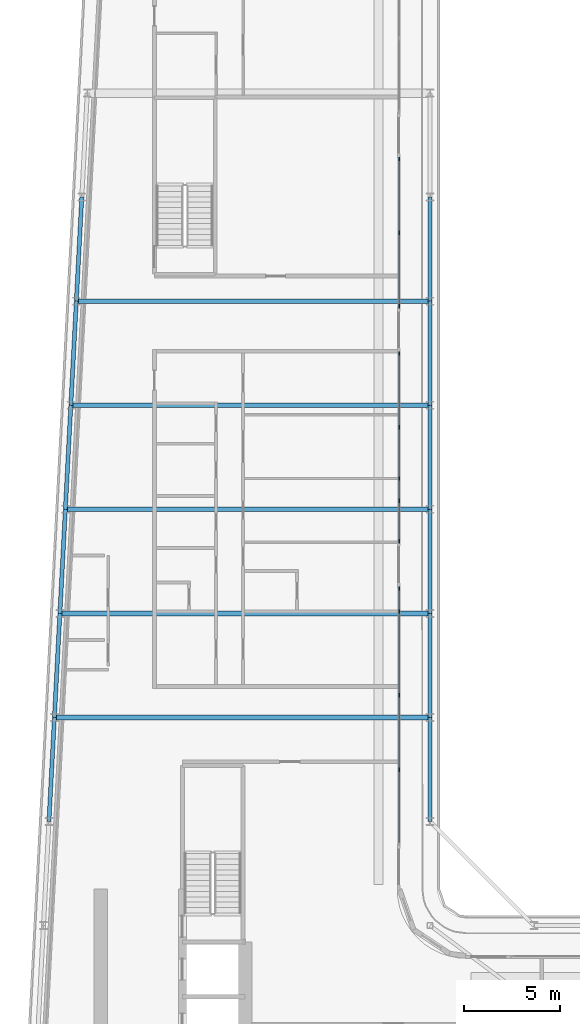
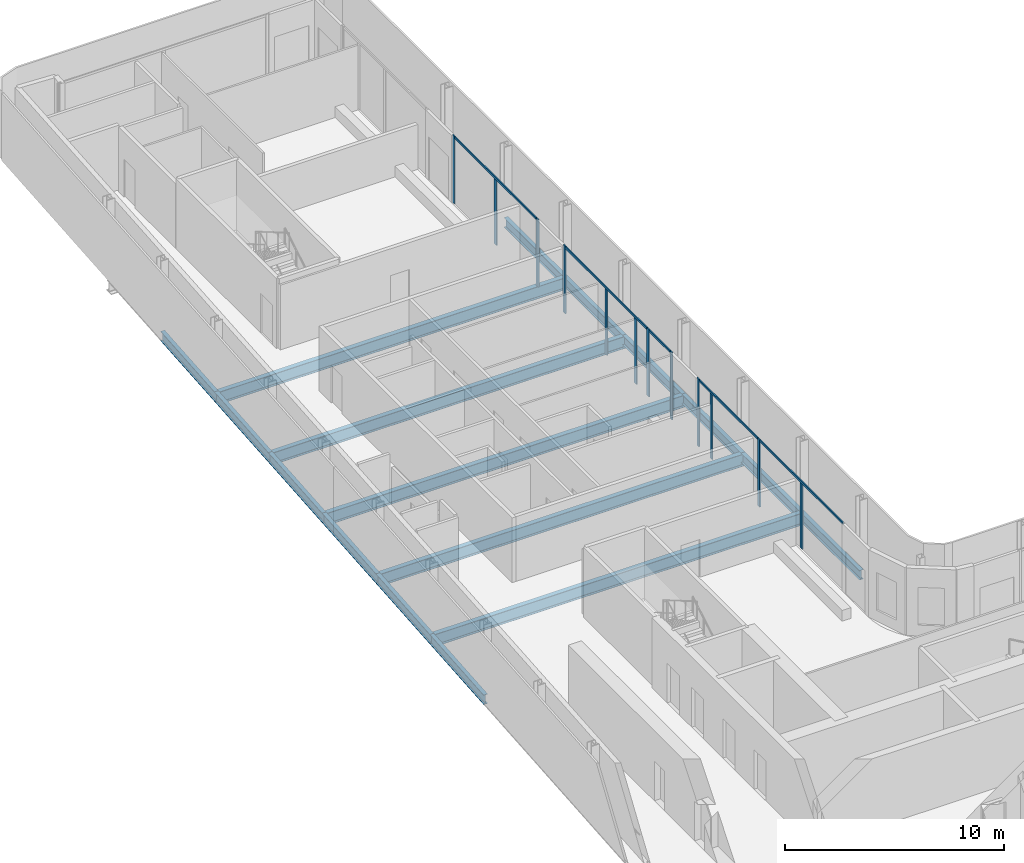
# One storey, part 6 of 23: 17 beams, 17 members, 5 elements without a shape of their own.
"""IFC4 building model written with IfcOpenShell, lengths in metres."""

from ifc_helpers import new_model, si_unit, direction, frame, origin, origin_2d, place, context, subcontext, project, spatial, rectangle, i_section, extrude, material, layer, layer_set, material_profile, profile_set, type_object, element, aggregate, save


model = new_model("IFC4")

# Units and contexts
model_context = context("Model", 3, precision=1e-05, world=origin(), true_north=direction((0.0, 1.0)))
body_context = subcontext(model_context, "Body", "Model", "MODEL_VIEW")
ifc_project = project(units=[si_unit("LENGTHUNIT", "METRE"), si_unit("AREAUNIT", "SQUARE_METRE"), si_unit("VOLUMEUNIT", "CUBIC_METRE"), si_unit("PLANEANGLEUNIT", "RADIAN"), si_unit("MASSUNIT", "GRAM", prefix="KILO")], contexts=[model_context])

# Site, building, storey
site_placement = place(None, origin())
site = spatial("IfcSite", under=ifc_project, at=site_placement, CompositionType="ELEMENT")
building_placement = place(site_placement, origin())
building = spatial("IfcBuilding", under=site, at=building_placement, Name="Kheshtan School and Residences Tower", CompositionType="ELEMENT")
storey_placement = place(building_placement, frame((0.0, 0.0, 243.5)))
storey = spatial("IfcBuildingStorey", under=building, at=storey_placement, Name="L57", CompositionType="ELEMENT", Elevation=243.5)

# Beams
ifc_material_1 = material(Name="Steel ASTM A992 Grade 50", Category="steel")
ifc_material_profile_1 = material_profile(ifc_material_1, i_section(OverallWidth=0.2529296875, OverallDepth=0.677978515625, WebThickness=0.01171875, FlangeThickness=0.016357421875, FilletRadius=0.0146484375, at=origin_2d()), Name="W690x125")
ifc_profile_set_1 = profile_set([ifc_material_profile_1], Name="Steel ASTM A992 Grade 50")
beam_type_1 = type_object("IfcBeamType", Name="Beam FB6 W690x125 ASTM A992 Grade 50", PredefinedType="BEAM", material=ifc_profile_set_1)
beam_1_placement = place(storey_placement, frame((47.60009765625, 78.0, -0.489013671875), z_axis=(-1.0, 0.0, 0.0), x_axis=(0.0, -1.0, 0.0)))
element("IfcBeam", 1, at=beam_1_placement, inside=storey, type_object=beam_type_1, Name="Floor beam C089", PredefinedType="BEAM", context=body_context, shape_type="SweptSolid", body=[
    extrude(i_section(OverallWidth=0.2529296875, OverallDepth=0.677978515625, WebThickness=0.01171875, FlangeThickness=0.016357421875, FilletRadius=0.0146484375, at=origin_2d()), origin(), (0.0, 0.0, 1.0), 18.357177734375),
])
beam_2_placement = place(storey_placement, frame((47.60009765625, 67.199951171875, -0.489013671875), z_axis=(-1.0, 0.0, 0.0), x_axis=(0.0, -1.0, 0.0)))
element("IfcBeam", 2, at=beam_2_placement, inside=storey, type_object=beam_type_1, Name="Floor beam C085", PredefinedType="BEAM", context=body_context, shape_type="SweptSolid", body=[
    extrude(i_section(OverallWidth=0.2529296875, OverallDepth=0.677978515625, WebThickness=0.01171875, FlangeThickness=0.016357421875, FilletRadius=0.0146484375, at=origin_2d()), origin(), (0.0, 0.0, 1.0), 18.926025390625),
])
beam_3_placement = place(storey_placement, frame((47.60009765625, 56.39990234375, -0.489013671875), z_axis=(-1.0, 0.0, 0.0), x_axis=(0.0, -1.0, 0.0)))
element("IfcBeam", 3, at=beam_3_placement, inside=storey, type_object=beam_type_1, Name="Floor beam C081", PredefinedType="BEAM", context=body_context, shape_type="SweptSolid", body=[
    extrude(i_section(OverallWidth=0.2529296875, OverallDepth=0.677978515625, WebThickness=0.01171875, FlangeThickness=0.016357421875, FilletRadius=0.0146484375, at=origin_2d()), origin(), (0.0, 0.0, 1.0), 19.494140625),
])
beam_4_placement = place(storey_placement, frame((28.389892578125, 61.800048828125, -0.489013671875), z_axis=(1.0, 0.0, 0.0), x_axis=(0.0, 1.0, 0.0)))
element("IfcBeam", 4, at=beam_4_placement, inside=storey, type_object=beam_type_1, Name="Floor beam C082", PredefinedType="BEAM", context=body_context, shape_type="SweptSolid", body=[
    extrude(i_section(OverallWidth=0.2529296875, OverallDepth=0.677978515625, WebThickness=0.01171875, FlangeThickness=0.016357421875, FilletRadius=0.0146484375, at=origin_2d()), origin(), (0.0, 0.0, 1.0), 19.210205078125),
])
beam_5_placement = place(storey_placement, frame((28.9580078125, 72.60009765625, -0.489013671875), z_axis=(1.0, 0.0, 0.0), x_axis=(0.0, 1.0, 0.0)))
element("IfcBeam", 5, at=beam_5_placement, inside=storey, type_object=beam_type_1, Name="Floor beam C086", PredefinedType="BEAM", context=body_context, shape_type="SweptSolid", body=[
    extrude(i_section(OverallWidth=0.2529296875, OverallDepth=0.677978515625, WebThickness=0.01171875, FlangeThickness=0.016357421875, FilletRadius=0.0146484375, at=origin_2d()), origin(), (0.0, 0.0, 1.0), 18.64208984375),
])
ifc_material_profile_2 = material_profile(ifc_material_1, i_section(OverallWidth=0.208984375, OverallDepth=0.532958984375, WebThickness=0.01025390625, FlangeThickness=0.015625, FilletRadius=0.013916015625, at=origin_2d()), Name="W530x92")
ifc_profile_set_2 = profile_set([ifc_material_profile_2], Name="Steel ASTM A992 Grade 50")
beam_type_2 = type_object("IfcBeamType", Name="Beam SP3 W530x92 ASTM A992 Grade 50", PredefinedType="BEAM", material=ifc_profile_set_2)
for number, where, z_axis, x_axis, name in (
    (6, (47.60009765625, 83.39990234375, -0.41650390625), (0.0, -1.0, 0.0), (1.0, 0.0, 0.0), "Spandrel beam C091-C089"),
    (7, (47.60009765625, 78.0, -0.41650390625), (0.0, -1.0, 0.0), (1.0, 0.0, 0.0), "Spandrel beam C089-C087"),
):
    element("IfcBeam", number, at=place(storey_placement, frame(where, z_axis=z_axis, x_axis=x_axis)), inside=storey, type_object=beam_type_2, Name=name, PredefinedType="BEAM", context=body_context, shape_type="SweptSolid", body=[
        extrude(i_section(OverallWidth=0.208984375, OverallDepth=0.532958984375, WebThickness=0.01025390625, FlangeThickness=0.015625, FilletRadius=0.013916015625, at=origin_2d()), origin(), (0.0, 0.0, 1.0), 5.39990234375),
    ])
beam_6_placement = place(storey_placement, frame((47.60009765625, 72.60009765625, -0.41650390625), z_axis=(0.0, -1.0, 0.0), x_axis=(1.0, 0.0, 0.0)))
element("IfcBeam", 8, at=beam_6_placement, inside=storey, type_object=beam_type_2, Name="Spandrel beam C087-C085", PredefinedType="BEAM", context=body_context, shape_type="SweptSolid", body=[
    extrude(i_section(OverallWidth=0.208984375, OverallDepth=0.532958984375, WebThickness=0.01025390625, FlangeThickness=0.015625, FilletRadius=0.013916015625, at=origin_2d()), origin(), (0.0, 0.0, 1.0), 5.400146484375),
])
beam_7_placement = place(storey_placement, frame((47.60009765625, 67.199951171875, -0.41650390625), z_axis=(0.0, -1.0, 0.0), x_axis=(1.0, 0.0, 0.0)))
element("IfcBeam", 9, at=beam_7_placement, inside=storey, type_object=beam_type_2, Name="Spandrel beam C085-C083", PredefinedType="BEAM", context=body_context, shape_type="SweptSolid", body=[
    extrude(i_section(OverallWidth=0.208984375, OverallDepth=0.532958984375, WebThickness=0.01025390625, FlangeThickness=0.015625, FilletRadius=0.013916015625, at=origin_2d()), origin(), (0.0, 0.0, 1.0), 5.39990234375),
])
beam_8_placement = place(storey_placement, frame((47.60009765625, 61.800048828125, -0.41650390625), z_axis=(0.0, -1.0, 0.0), x_axis=(1.0, 0.0, 0.0)))
element("IfcBeam", 10, at=beam_8_placement, inside=storey, type_object=beam_type_2, Name="Spandrel beam C083-C081", PredefinedType="BEAM", context=body_context, shape_type="SweptSolid", body=[
    extrude(i_section(OverallWidth=0.208984375, OverallDepth=0.532958984375, WebThickness=0.01025390625, FlangeThickness=0.015625, FilletRadius=0.013916015625, at=origin_2d()), origin(), (0.0, 0.0, 1.0), 5.400146484375),
])
beam_9_placement = place(storey_placement, frame((47.60009765625, 56.39990234375, -0.41650390625), z_axis=(0.0, -1.0, 0.0), x_axis=(1.0, 0.0, 0.0)))
element("IfcBeam", 11, at=beam_9_placement, inside=storey, type_object=beam_type_2, Name="Spandrel beam C081-C079", PredefinedType="BEAM", context=body_context, shape_type="SweptSolid", body=[
    extrude(i_section(OverallWidth=0.208984375, OverallDepth=0.532958984375, WebThickness=0.01025390625, FlangeThickness=0.015625, FilletRadius=0.013916015625, at=origin_2d()), origin(), (0.0, 0.0, 1.0), 5.39990234375),
])
beam_10_placement = place(storey_placement, frame((27.822021484375, 51.0, -0.41650390625), z_axis=(0.05250906864, 0.998620447272, 0.0), x_axis=(-0.998620447272, 0.05250906864, 0.0)))
element("IfcBeam", 12, at=beam_10_placement, inside=storey, type_object=beam_type_2, Name="Spandrel beam C078-C080", PredefinedType="BEAM", context=body_context, shape_type="SweptSolid", body=[
    extrude(i_section(OverallWidth=0.208984375, OverallDepth=0.532958984375, WebThickness=0.01025390625, FlangeThickness=0.015625, FilletRadius=0.013916015625, at=origin_2d()), origin(), (0.0, 0.0, 1.0), 5.407470703125),
])
beam_11_placement = place(storey_placement, frame((28.10595703125, 56.39990234375, -0.41650390625), z_axis=(0.05250670125, 0.998620571751, 0.0), x_axis=(-0.998620571751, 0.05250670125, 0.0)))
element("IfcBeam", 13, at=beam_11_placement, inside=storey, type_object=beam_type_2, Name="Spandrel beam C080-C082", PredefinedType="BEAM", context=body_context, shape_type="SweptSolid", body=[
    extrude(i_section(OverallWidth=0.208984375, OverallDepth=0.532958984375, WebThickness=0.01025390625, FlangeThickness=0.015625, FilletRadius=0.013916015625, at=origin_2d()), origin(), (0.0, 0.0, 1.0), 5.40771484375),
])
beam_12_placement = place(storey_placement, frame((28.389892578125, 61.800048828125, -0.41650390625), z_axis=(0.052554093665, 0.998618078766, 0.0), x_axis=(-0.998618078766, 0.052554093665, 0.0)))
element("IfcBeam", 14, at=beam_12_placement, inside=storey, type_object=beam_type_2, Name="Spandrel beam C082-C084", PredefinedType="BEAM", context=body_context, shape_type="SweptSolid", body=[
    extrude(i_section(OverallWidth=0.208984375, OverallDepth=0.532958984375, WebThickness=0.01025390625, FlangeThickness=0.015625, FilletRadius=0.013916015625, at=origin_2d()), origin(), (0.0, 0.0, 1.0), 5.407470703125),
])
beam_13_placement = place(storey_placement, frame((28.674072265625, 67.199951171875, -0.41650390625), z_axis=(0.05250670125, 0.998620571751, 0.0), x_axis=(-0.998620571751, 0.05250670125, 0.0)))
element("IfcBeam", 15, at=beam_13_placement, inside=storey, type_object=beam_type_2, Name="Spandrel beam C084-C086", PredefinedType="BEAM", context=body_context, shape_type="SweptSolid", body=[
    extrude(i_section(OverallWidth=0.208984375, OverallDepth=0.532958984375, WebThickness=0.01025390625, FlangeThickness=0.015625, FilletRadius=0.013916015625, at=origin_2d()), origin(), (0.0, 0.0, 1.0), 5.40771484375),
])
for number, where, z_axis, x_axis, name in (
    (16, (28.9580078125, 72.60009765625, -0.41650390625), (0.052689166816, 0.998610961136, 0.0), (-0.998610961136, 0.052689166816, 0.0), "Spandrel beam C086-C088"),
    (17, (29.242919921875, 78.0, -0.41650390625), (0.052554093665, 0.998618078766, 0.0), (-0.998618078766, 0.052554093665, 0.0), "Spandrel beam C088-C090"),
):
    element("IfcBeam", number, at=place(storey_placement, frame(where, z_axis=z_axis, x_axis=x_axis)), inside=storey, type_object=beam_type_2, Name=name, PredefinedType="BEAM", context=body_context, shape_type="SweptSolid", body=[
        extrude(i_section(OverallWidth=0.208984375, OverallDepth=0.532958984375, WebThickness=0.01025390625, FlangeThickness=0.015625, FilletRadius=0.013916015625, at=origin_2d()), origin(), (0.0, 0.0, 1.0), 5.407470703125),
    ])

# Curtain wall, members
ifc_material_2 = material(Name="Clear low-e glass in thermally broken aluminium frame", Category="aluminium")
ifc_layer = layer(ifc_material_2, 0.199951171875)
ifc_layer_set = layer_set([ifc_layer], Name="Curtain wall CW-L")
curtain_wall_type = type_object("IfcCurtainWallType", Name="Curtain wall CW-L", PredefinedType="NOTDEFINED", material=ifc_layer_set)
curtain_wall_1_placement = place(storey_placement, origin())
curtain_wall_1 = element("IfcCurtainWall", 18, at=curtain_wall_1_placement, inside=storey, type_object=curtain_wall_type, Name="Curtain wall CWL8", PredefinedType="NOTDEFINED")
ifc_material_3 = material(Name="Thermally broken aluminium, dark bronze anodised", Category="aluminium")
ifc_material_profile_3 = material_profile(ifc_material_3, rectangle(XDim=0.06005859375, YDim=0.199951171875, at=origin_2d()), Name="CW-L mullion 60x200")
ifc_profile_set_3 = profile_set([ifc_material_profile_3], Name="Thermally broken aluminium, dark bronze anodised")
member_type_1 = type_object("IfcMemberType", Name="CW-L mullion 60x200", PredefinedType="MULLION", material=ifc_profile_set_3)
member_1_placement = place(storey_placement, frame((46.0, 85.3759765625, 0.0), z_axis=(0.0, 0.0, 1.0), x_axis=(1.0, 0.0, 0.0)))
member_1 = element("IfcMember", 19, at=member_1_placement, type_object=member_type_1, Name="CWL8 mullion 1", PredefinedType="MULLION", context=body_context, shape_type="SweptSolid", body=[
    extrude(rectangle(XDim=0.06005859375, YDim=0.199951171875, at=origin_2d()), origin(), (0.0, 0.0, 1.0), 3.75),
])
member_2_placement = place(storey_placement, frame((46.0, 81.55908203125, 0.0), z_axis=(0.0, 0.0, 1.0), x_axis=(1.0, 0.0, 0.0)))
member_2 = element("IfcMember", 20, at=member_2_placement, type_object=member_type_1, Name="CWL8 mullion 2", PredefinedType="MULLION", context=body_context, shape_type="SweptSolid", body=[
    extrude(rectangle(XDim=0.06005859375, YDim=0.199951171875, at=origin_2d()), origin(), (0.0, 0.0, 1.0), 3.6298828125),
])
member_3_placement = place(storey_placement, frame((46.0, 77.741943359375, 0.0), z_axis=(0.0, 0.0, 1.0), x_axis=(1.0, 0.0, 0.0)))
member_3 = element("IfcMember", 21, at=member_3_placement, type_object=member_type_1, Name="CWL8 mullion 3", PredefinedType="MULLION", context=body_context, shape_type="SweptSolid", body=[
    extrude(rectangle(XDim=0.06005859375, YDim=0.199951171875, at=origin_2d()), origin(), (0.0, 0.0, 1.0), 3.75),
])

curtain_wall_2_placement = place(storey_placement, origin())
curtain_wall_2 = element("IfcCurtainWall", 22, at=curtain_wall_2_placement, inside=storey, type_object=curtain_wall_type, Name="Curtain wall CWL8c", PredefinedType="NOTDEFINED")
member_4_placement = place(storey_placement, frame((46.0, 75.281982421875, 0.0), z_axis=(0.0, 0.0, 1.0), x_axis=(1.0, 0.0, 0.0)))
member_4 = element("IfcMember", 23, at=member_4_placement, type_object=member_type_1, Name="CWL8c mullion 1", PredefinedType="MULLION", context=body_context, shape_type="SweptSolid", body=[
    extrude(rectangle(XDim=0.06005859375, YDim=0.199951171875, at=origin_2d()), origin(), (0.0, 0.0, 1.0), 3.75),
])
member_5_placement = place(storey_placement, frame((46.0, 71.465087890625, 0.0), z_axis=(0.0, 0.0, 1.0), x_axis=(1.0, 0.0, 0.0)))
member_5 = element("IfcMember", 24, at=member_5_placement, type_object=member_type_1, Name="CWL8c mullion 2", PredefinedType="MULLION", context=body_context, shape_type="SweptSolid", body=[
    extrude(rectangle(XDim=0.06005859375, YDim=0.199951171875, at=origin_2d()), origin(), (0.0, 0.0, 1.0), 3.6298828125),
])
member_6_placement = place(storey_placement, frame((46.0, 68.800048828125, 0.0), z_axis=(0.0, 0.0, 1.0), x_axis=(1.0, 0.0, 0.0)))
member_6 = element("IfcMember", 25, at=member_6_placement, type_object=member_type_1, Name="CWL8c mullion 3", PredefinedType="MULLION", context=body_context, shape_type="SweptSolid", body=[
    extrude(rectangle(XDim=0.06005859375, YDim=0.199951171875, at=origin_2d()), origin(), (0.0, 0.0, 1.0), 3.6298828125),
])
member_7_placement = place(storey_placement, frame((46.0, 67.64794921875, 0.0), z_axis=(0.0, 0.0, 1.0), x_axis=(1.0, 0.0, 0.0)))
member_7 = element("IfcMember", 26, at=member_7_placement, type_object=member_type_1, Name="CWL8c mullion 4", PredefinedType="MULLION", context=body_context, shape_type="SweptSolid", body=[
    extrude(rectangle(XDim=0.06005859375, YDim=0.199951171875, at=origin_2d()), origin(), (0.0, 0.0, 1.0), 3.75),
])

# Curtain wall, member
curtain_wall_3_placement = place(storey_placement, origin())
curtain_wall_3 = element("IfcCurtainWall", 27, at=curtain_wall_3_placement, inside=storey, type_object=curtain_wall_type, Name="Curtain wall CWL8i", PredefinedType="NOTDEFINED")
member_8_placement = place(storey_placement, frame((46.0, 65.548095703125, 0.0), z_axis=(0.0, 0.0, 1.0), x_axis=(1.0, 0.0, 0.0)))
member_8 = element("IfcMember", 28, at=member_8_placement, type_object=member_type_1, Name="CWL8i mullion 2", PredefinedType="MULLION", context=body_context, shape_type="SweptSolid", body=[
    extrude(rectangle(XDim=0.06005859375, YDim=0.199951171875, at=origin_2d()), origin(), (0.0, 0.0, 1.0), 3.75),
])

# Curtain wall, members
curtain_wall_4_placement = place(storey_placement, origin())
curtain_wall_4 = element("IfcCurtainWall", 29, at=curtain_wall_4_placement, inside=storey, type_object=curtain_wall_type, Name="Curtain wall CWL8l", PredefinedType="NOTDEFINED")
member_9_placement = place(storey_placement, frame((46.0, 63.087890625, 0.0), z_axis=(0.0, 0.0, 1.0), x_axis=(1.0, 0.0, 0.0)))
member_9 = element("IfcMember", 30, at=member_9_placement, type_object=member_type_1, Name="CWL8l mullion 1", PredefinedType="MULLION", context=body_context, shape_type="SweptSolid", body=[
    extrude(rectangle(XDim=0.06005859375, YDim=0.199951171875, at=origin_2d()), origin(), (0.0, 0.0, 1.0), 3.75),
])
member_10_placement = place(storey_placement, frame((46.0, 61.89990234375, 0.0), z_axis=(0.0, 0.0, 1.0), x_axis=(1.0, 0.0, 0.0)))
member_10 = element("IfcMember", 31, at=member_10_placement, type_object=member_type_1, Name="CWL8l mullion 2", PredefinedType="MULLION", context=body_context, shape_type="SweptSolid", body=[
    extrude(rectangle(XDim=0.06005859375, YDim=0.199951171875, at=origin_2d()), origin(), (0.0, 0.0, 1.0), 3.6298828125),
])
member_11_placement = place(storey_placement, frame((46.0, 57.553955078125, 0.0), z_axis=(0.0, 0.0, 1.0), x_axis=(1.0, 0.0, 0.0)))
member_11 = element("IfcMember", 32, at=member_11_placement, type_object=member_type_1, Name="CWL8l mullion 3", PredefinedType="MULLION", context=body_context, shape_type="SweptSolid", body=[
    extrude(rectangle(XDim=0.06005859375, YDim=0.199951171875, at=origin_2d()), origin(), (0.0, 0.0, 1.0), 3.75),
])

# Curtain wall, member
curtain_wall_5_placement = place(storey_placement, origin())
curtain_wall_5 = element("IfcCurtainWall", 33, at=curtain_wall_5_placement, inside=storey, type_object=curtain_wall_type, Name="Curtain wall CWL8", PredefinedType="NOTDEFINED")
member_12_placement = place(storey_placement, frame((46.0, 53.677001953125, 0.0), z_axis=(0.0, 0.0, 1.0), x_axis=(1.0, 0.0, 0.0)))
member_12 = element("IfcMember", 34, at=member_12_placement, type_object=member_type_1, Name="CWL8 mullion 2", PredefinedType="MULLION", context=body_context, shape_type="SweptSolid", body=[
    extrude(rectangle(XDim=0.06005859375, YDim=0.199951171875, at=origin_2d()), origin(), (0.0, 0.0, 1.0), 3.6298828125),
])

# Member
ifc_material_profile_4 = material_profile(ifc_material_3, rectangle(XDim=0.06005859375, YDim=0.1201171875, at=origin_2d()), Name="CW-L transom 60x120")
ifc_profile_set_4 = profile_set([ifc_material_profile_4], Name="Thermally broken aluminium, dark bronze anodised")
member_type_2 = type_object("IfcMemberType", Name="CW-L transom 60x120", PredefinedType="USERDEFINED", material=ifc_profile_set_4)
member_13_placement = place(storey_placement, frame((46.0, 85.345947265625, 3.68994140625), z_axis=(0.0, -1.0, 0.0), x_axis=(1.0, 0.0, 0.0)))
member_13 = element("IfcMember", 35, at=member_13_placement, type_object=member_type_2, Name="CWL8 transom 1", ObjectType="TRANSOM", PredefinedType="USERDEFINED", context=body_context, shape_type="SweptSolid", body=[
    extrude(rectangle(XDim=0.06005859375, YDim=0.1201171875, at=origin_2d()), origin(), (0.0, 0.0, 1.0), 7.573974609375),
])

aggregate(curtain_wall_1, [member_1, member_2, member_3, member_13])

member_14_placement = place(storey_placement, frame((46.0, 75.251953125, 3.68994140625), z_axis=(0.0, -1.0, 0.0), x_axis=(1.0, 0.0, 0.0)))
member_14 = element("IfcMember", 36, at=member_14_placement, type_object=member_type_2, Name="CWL8c transom 1", ObjectType="TRANSOM", PredefinedType="USERDEFINED", context=body_context, shape_type="SweptSolid", body=[
    extrude(rectangle(XDim=0.06005859375, YDim=0.1201171875, at=origin_2d()), origin(), (0.0, 0.0, 1.0), 7.573974609375),
])

aggregate(curtain_wall_2, [member_4, member_5, member_6, member_7, member_14])

member_15_placement = place(storey_placement, frame((46.0, 67.617919921875, 3.68994140625), z_axis=(0.0, -1.0, 0.0), x_axis=(1.0, 0.0, 0.0)))
member_15 = element("IfcMember", 37, at=member_15_placement, type_object=member_type_2, Name="CWL8i transom 1", ObjectType="TRANSOM", PredefinedType="USERDEFINED", context=body_context, shape_type="SweptSolid", body=[
    extrude(rectangle(XDim=0.06005859375, YDim=0.1201171875, at=origin_2d()), origin(), (0.0, 0.0, 1.0), 2.0400390625),
])

aggregate(curtain_wall_3, [member_8, member_15])

member_16_placement = place(storey_placement, frame((46.0, 63.05810546875, 3.68994140625), z_axis=(0.0, -1.0, 0.0), x_axis=(1.0, 0.0, 0.0)))
member_16 = element("IfcMember", 38, at=member_16_placement, type_object=member_type_2, Name="CWL8l transom 1", ObjectType="TRANSOM", PredefinedType="USERDEFINED", context=body_context, shape_type="SweptSolid", body=[
    extrude(rectangle(XDim=0.06005859375, YDim=0.1201171875, at=origin_2d()), origin(), (0.0, 0.0, 1.0), 5.47412109375),
])

aggregate(curtain_wall_4, [member_9, member_10, member_11, member_16])

member_17_placement = place(storey_placement, frame((46.0, 57.52392578125, 3.68994140625), z_axis=(0.0, -1.0, 0.0), x_axis=(1.0, 0.0, 0.0)))
member_17 = element("IfcMember", 39, at=member_17_placement, type_object=member_type_2, Name="CWL8 transom 1", ObjectType="TRANSOM", PredefinedType="USERDEFINED", context=body_context, shape_type="SweptSolid", body=[
    extrude(rectangle(XDim=0.06005859375, YDim=0.1201171875, at=origin_2d()), origin(), (0.0, 0.0, 1.0), 7.634033203125),
])

aggregate(curtain_wall_5, [member_12, member_17])

save(model, "model.ifc")
